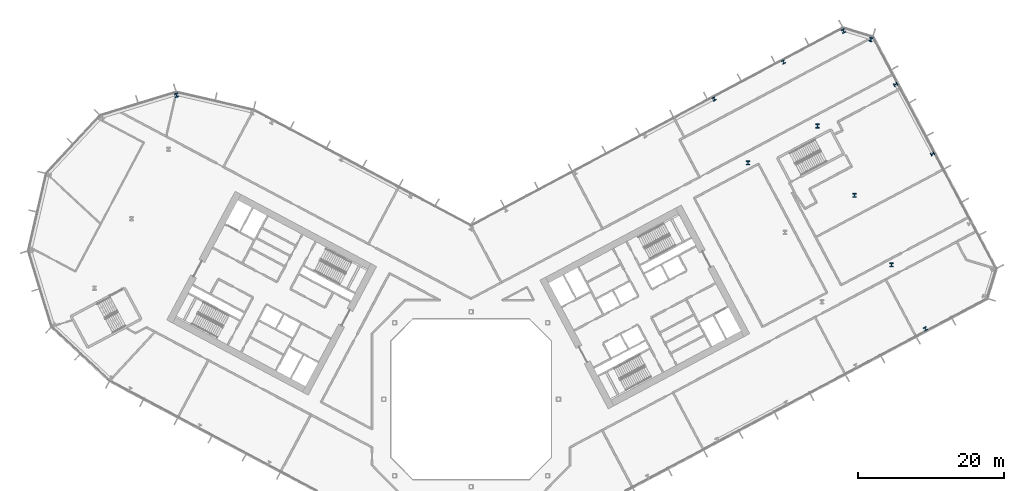
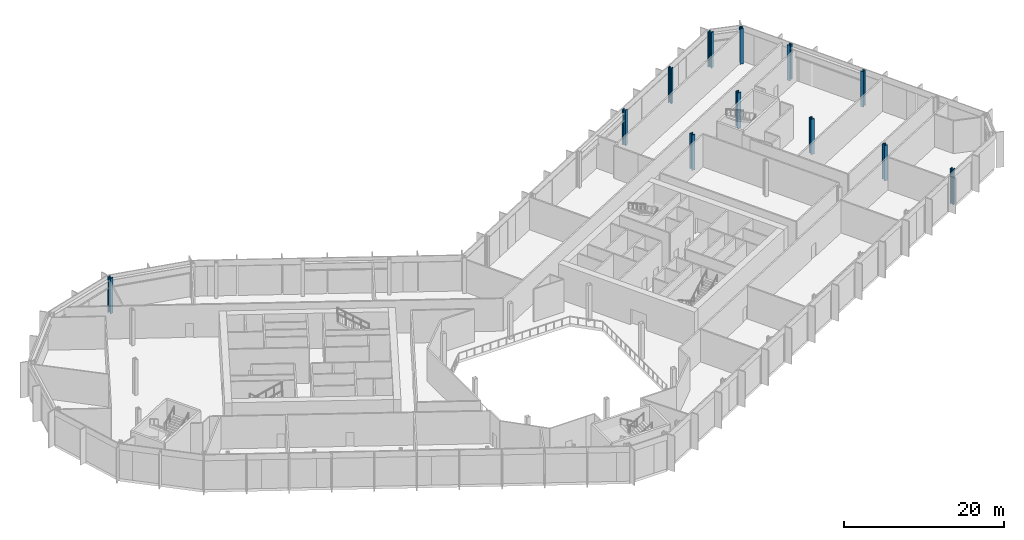
# One storey, part 4 of 32: 12 columns.
"""IFC4 building model written with IfcOpenShell, lengths in metres."""

from ifc_helpers import new_model, si_unit, direction, frame, origin, origin_2d, place, context, subcontext, project, spatial, i_section, extrude, material, material_profile, profile_set, type_object, element, save


model = new_model("IFC4")

# Units and contexts
model_context = context("Model", 3, precision=1e-05, world=origin(), true_north=direction((0.0, 1.0)))
body_context = subcontext(model_context, "Body", "Model", "MODEL_VIEW")
ifc_project = project(units=[si_unit("LENGTHUNIT", "METRE"), si_unit("AREAUNIT", "SQUARE_METRE"), si_unit("VOLUMEUNIT", "CUBIC_METRE"), si_unit("PLANEANGLEUNIT", "RADIAN"), si_unit("MASSUNIT", "GRAM", prefix="KILO")], contexts=[model_context])

# Site, building, storey
site_placement = place(None, origin())
site = spatial("IfcSite", under=ifc_project, at=site_placement, CompositionType="ELEMENT")
building_placement = place(site_placement, origin())
building = spatial("IfcBuilding", under=site, at=building_placement, Name="Cormorant Relay Tower", CompositionType="ELEMENT")
storey_placement = place(building_placement, frame((0.0, 0.0, 39.199951171875)))
storey = spatial("IfcBuildingStorey", under=building, at=storey_placement, Name="L07", CompositionType="ELEMENT", Elevation=39.199951171875)

# Columns
ifc_material_1 = material(Name="Steel ASTM A992 (Fy 345 MPa)", Category="steel")
ifc_material_profile_1 = material_profile(ifc_material_1, i_section(OverallWidth=0.45458984375, OverallDepth=0.569091796875, WebThickness=0.077880859375, FlangeThickness=0.124755859375, FilletRadius=0.015380859375, at=origin_2d()), Name="W360x1086")
ifc_profile_set_1 = profile_set([ifc_material_profile_1], Name="Steel ASTM A992 (Fy 345 MPa)")
column_type_1 = type_object("IfcColumnType", Name="Column W360x1086", PredefinedType="COLUMN", material=ifc_profile_set_1)
for number, where, z_axis, x_axis, name in (
    (1, (57.694091796875, 18.445068359375, 0.0), (0.0, 0.0, 1.0), (1.0, 0.0, 0.0), "Column L07-029"),
    (2, (52.6240234375, 27.98095703125, 0.0), (0.0, 0.0, 1.0), (1.0, 0.0, 0.0), "Column L07-037"),
    (3, (38.01806640625, 32.446044921875, 0.0), (0.0, 0.0, 1.0), (1.0, 0.0, 0.0), "Column L07-040"),
    (4, (47.552978515625, 37.51611328125, 0.0), (0.0, 0.0, 1.0), (1.0, 0.0, 0.0), "Column L07-045"),
    (5, (-40.451904296875, 41.73388671875, 0.0), (0.0, 0.0, 1.0), (-0.956304755963, -0.292371704723, 0.0), "Column L07-050"),
    (6, (54.866943359375, 49.385986328125, 0.0), (0.0, 0.0, 1.0), (-0.956304755963, 0.292371704723, 0.0), "Column L07-053"),
    (7, (51.10302734375, 50.537109375, 0.0), (0.0, 0.0, 1.0), (-0.882947592859, -0.469471562786, 0.0), "Column L07-054"),
):
    element("IfcColumn", number, at=place(storey_placement, frame(where, z_axis=z_axis, x_axis=x_axis)), inside=storey, type_object=column_type_1, Name=name, PredefinedType="COLUMN", context=body_context, shape_type="SweptSolid", body=[
        extrude(i_section(OverallWidth=0.45458984375, OverallDepth=0.569091796875, WebThickness=0.077880859375, FlangeThickness=0.124755859375, FilletRadius=0.015380859375, at=origin_2d()), origin(), (0.0, 0.0, 1.0), 5.400146484375),
    ])
ifc_material_2 = material(Name="Steel ASTM A992 (Fy 345 MPa)", Category="steel")
ifc_material_profile_2 = material_profile(ifc_material_2, i_section(OverallWidth=0.43701171875, OverallDepth=0.51318359375, WebThickness=0.060546875, FlangeThickness=0.096923828125, FilletRadius=0.015380859375, at=origin_2d()), Name="W360x818")
ifc_profile_set_2 = profile_set([ifc_material_profile_2], Name="Steel ASTM A992 (Fy 345 MPa)")
column_type_2 = type_object("IfcColumnType", Name="Column W360x818", PredefinedType="COLUMN", material=ifc_profile_set_2)
for number, where, z_axis, x_axis, name in (
    (8, (62.361083984375, 9.66796875, 0.0), (0.0, 0.0, 1.0), (0.882947592859, 0.469471562786, 0.0), "Column L07-020"),
    (9, (63.343017578125, 33.679931640625, 0.0), (0.0, 0.0, 1.0), (-0.469471562786, 0.882947592859, 0.0), "Column L07-042"),
    (10, (33.35107421875, 41.222900390625, 0.0), (0.0, 0.0, 1.0), (-0.882947592859, -0.469471562786, 0.0), "Column L07-049"),
    (11, (58.27197265625, 43.216064453125, 0.0), (0.0, 0.0, 1.0), (-0.469471562786, 0.882947592859, 0.0), "Column L07-051"),
    (12, (42.886962890625, 46.29296875, 0.0), (0.0, 0.0, 1.0), (-0.882947592859, -0.469471562786, 0.0), "Column L07-052"),
):
    element("IfcColumn", number, at=place(storey_placement, frame(where, z_axis=z_axis, x_axis=x_axis)), inside=storey, type_object=column_type_2, Name=name, PredefinedType="COLUMN", context=body_context, shape_type="SweptSolid", body=[
        extrude(i_section(OverallWidth=0.43701171875, OverallDepth=0.51318359375, WebThickness=0.060546875, FlangeThickness=0.096923828125, FilletRadius=0.015380859375, at=origin_2d()), origin(), (0.0, 0.0, 1.0), 5.400146484375),
    ])

save(model, "model.ifc")
